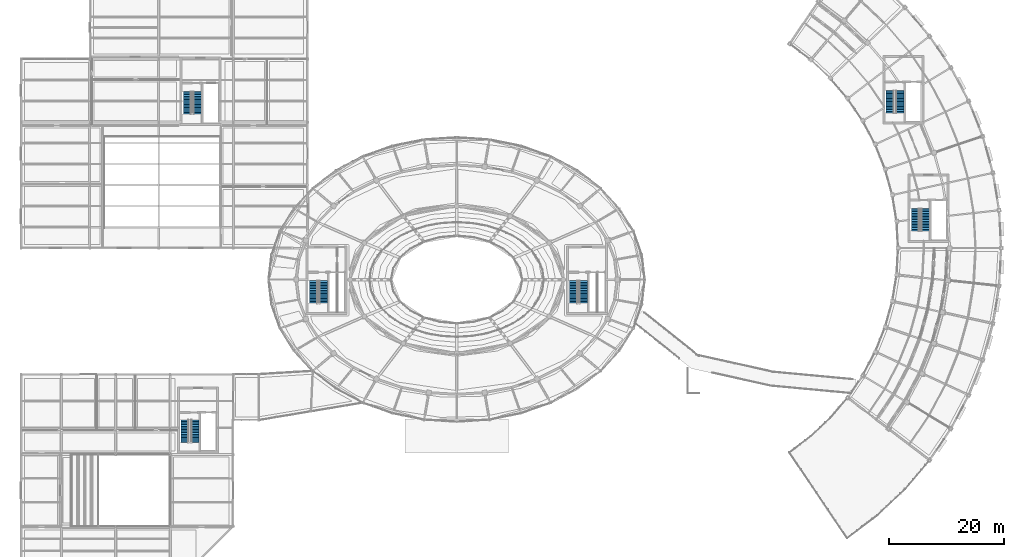
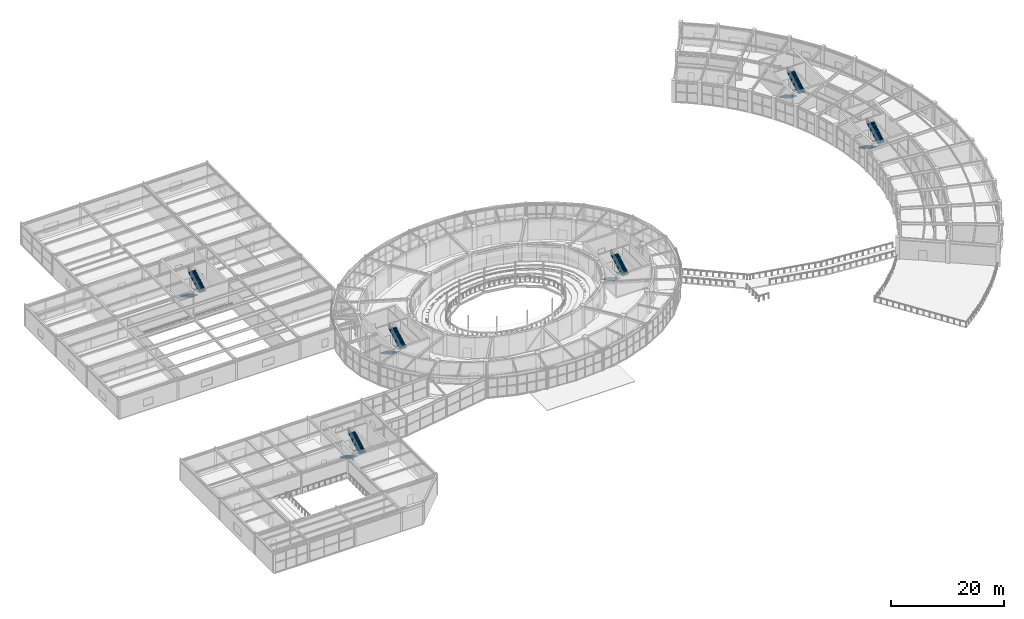
# One storey, part 86 of 100: 12 stair flights, 6 elements without a shape of their own.
"""IFC4 building model written with IfcOpenShell, lengths in metres."""

from ifc_helpers import new_model, si_unit, direction, frame, origin, place, context, subcontext, project, spatial, polyline, outline, extrude, material, type_object, element, aggregate, save


model = new_model("IFC4")

# Units and contexts
model_context = context("Model", 3, precision=1e-05, world=origin(), true_north=direction((0.0, 1.0)))
body_context = subcontext(model_context, "Body", "Model", "MODEL_VIEW")
ifc_project = project(units=[si_unit("LENGTHUNIT", "METRE"), si_unit("AREAUNIT", "SQUARE_METRE"), si_unit("VOLUMEUNIT", "CUBIC_METRE"), si_unit("PLANEANGLEUNIT", "RADIAN"), si_unit("MASSUNIT", "GRAM", prefix="KILO")], contexts=[model_context])

# Site, building, storey
site_placement = place(None, origin())
site = spatial("IfcSite", under=ifc_project, at=site_placement, CompositionType="ELEMENT")
building_placement = place(site_placement, origin())
building = spatial("IfcBuilding", under=site, at=building_placement, Name="Tarnveldt Headland Concert Hall", CompositionType="ELEMENT")
storey_placement = place(building_placement, frame((0.0, 0.0, 4.800048828125)))
storey = spatial("IfcBuildingStorey", under=building, at=storey_placement, Name="L01", CompositionType="ELEMENT", Elevation=4.800048828125)

# Stair, stair flights
ifc_material = material(Name="Concrete C40/50", Category="concrete")
stair_type_1 = type_object("IfcStairType", Name="ST-C5-480", PredefinedType="HALF_TURN_STAIR", material=ifc_material)
stair_1_placement = place(storey_placement, origin())
stair_1 = element("IfcStair", 1, at=stair_1_placement, inside=storey, type_object=stair_type_1, Name="Exit stair STR-C5-L01", PredefinedType="HALF_TURN_STAIR")
stair_flight_type_1 = type_object("IfcStairFlightType", Name="SF-134x160", PredefinedType="STRAIGHT", material=ifc_material)
stair_flight_1_placement = place(storey_placement, frame((36.06005859375, 30.0400390625, 0.0), z_axis=(0.0, 0.0, 1.0), x_axis=(0.0, -1.0, 0.0)))
stair_flight_1 = element("IfcStairFlight", 2, at=stair_flight_1_placement, type_object=stair_flight_type_1, Name="Stair flight STR-C5-L01-F1", NumberOfRisers=15, NumberOfTreads=14, PredefinedType="STRAIGHT", RiserHeight=0.16, TreadLength=0.28, context=body_context, shape_type="SweptSolid", body=[
    extrude(outline(polyline([(0.0, 0.0), (0.0, 0.159912109375), (0.280029296875, 0.159912109375), (0.280029296875, 0.320068359375), (0.56005859375, 0.320068359375), (0.56005859375, 0.47998046875), (0.840087890625, 0.47998046875), (0.840087890625, 0.639892578125), (1.1201171875, 0.639892578125), (1.1201171875, 0.800048828125), (1.39990234375, 0.800048828125), (1.39990234375, 0.9599609375), (1.679931640625, 0.9599609375), (1.679931640625, 1.1201171875), (1.9599609375, 1.1201171875), (1.9599609375, 1.280029296875), (2.239990234375, 1.280029296875), (2.239990234375, 1.43994140625), (2.52001953125, 1.43994140625), (2.52001953125, 1.60009765625), (2.800048828125, 1.60009765625), (2.800048828125, 1.760009765625), (3.080078125, 1.760009765625), (3.080078125, 1.919921875), (3.360107421875, 1.919921875), (3.360107421875, 2.080078125), (3.639892578125, 2.080078125), (3.639892578125, 2.239990234375), (3.919921875, 2.239990234375), (3.919921875, 2.39990234375), (3.919921875, 2.055908203125), (0.322265625, 0.0), (0.0, 0.0)])), frame((0.0, 0.669921875, 0.0), z_axis=(0.0, -1.0, 0.0), x_axis=(1.0, 0.0, 0.0)), (0.0, 0.0, 1.0), 1.340087890625),
])
stair_flight_2_placement = place(storey_placement, frame((37.860107421875, 26.1201171875, 2.39990234375), z_axis=(0.0, 0.0, 1.0), x_axis=(0.0, 1.0, 0.0)))
stair_flight_2 = element("IfcStairFlight", 3, at=stair_flight_2_placement, type_object=stair_flight_type_1, Name="Stair flight STR-C5-L01-F2", NumberOfRisers=15, NumberOfTreads=14, PredefinedType="STRAIGHT", RiserHeight=0.16, TreadLength=0.28, context=body_context, shape_type="SweptSolid", body=[
    extrude(outline(polyline([(0.0, 0.0), (0.0, 0.159912109375), (0.280029296875, 0.159912109375), (0.280029296875, 0.320068359375), (0.56005859375, 0.320068359375), (0.56005859375, 0.47998046875), (0.840087890625, 0.47998046875), (0.840087890625, 0.639892578125), (1.1201171875, 0.639892578125), (1.1201171875, 0.800048828125), (1.39990234375, 0.800048828125), (1.39990234375, 0.9599609375), (1.679931640625, 0.9599609375), (1.679931640625, 1.1201171875), (1.9599609375, 1.1201171875), (1.9599609375, 1.280029296875), (2.239990234375, 1.280029296875), (2.239990234375, 1.43994140625), (2.52001953125, 1.43994140625), (2.52001953125, 1.60009765625), (2.800048828125, 1.60009765625), (2.800048828125, 1.760009765625), (3.080078125, 1.760009765625), (3.080078125, 1.919921875), (3.360107421875, 1.919921875), (3.360107421875, 2.080078125), (3.639892578125, 2.080078125), (3.639892578125, 2.239990234375), (3.919921875, 2.239990234375), (3.919921875, 2.39990234375), (3.919921875, 2.055908203125), (0.322265625, 0.0), (0.0, 0.0)])), frame((0.0, 0.669921875, 0.0), z_axis=(0.0, -1.0, 0.0), x_axis=(1.0, 0.0, 0.0)), (0.0, 0.0, 1.0), 1.340087890625),
])
aggregate(stair_1, [stair_flight_1, stair_flight_2])

stair_type_2 = type_object("IfcStairType", Name="ST-CORE480", PredefinedType="HALF_TURN_STAIR", material=ifc_material)
stair_2_placement = place(storey_placement, origin())
stair_2 = element("IfcStair", 4, at=stair_2_placement, inside=storey, type_object=stair_type_2, Name="Exit stair STR-C1-L01", PredefinedType="HALF_TURN_STAIR")
stair_flight_type_2 = type_object("IfcStairFlightType", Name="SF-140x160", PredefinedType="STRAIGHT", material=ifc_material)
stair_flight_3_placement = place(storey_placement, frame((58.489990234375, 54.320068359375, 0.0), z_axis=(0.0, 0.0, 1.0), x_axis=(0.0, -1.0, 0.0)))
stair_flight_3 = element("IfcStairFlight", 5, at=stair_flight_3_placement, type_object=stair_flight_type_2, Name="Stair flight STR-C1-L01-F1", NumberOfRisers=15, NumberOfTreads=14, PredefinedType="STRAIGHT", RiserHeight=0.16, TreadLength=0.28, context=body_context, shape_type="SweptSolid", body=[
    extrude(outline(polyline([(0.0, 0.0), (0.0, 0.159912109375), (0.280029296875, 0.159912109375), (0.280029296875, 0.320068359375), (0.56005859375, 0.320068359375), (0.56005859375, 0.47998046875), (0.840087890625, 0.47998046875), (0.840087890625, 0.639892578125), (1.1201171875, 0.639892578125), (1.1201171875, 0.800048828125), (1.39990234375, 0.800048828125), (1.39990234375, 0.9599609375), (1.679931640625, 0.9599609375), (1.679931640625, 1.1201171875), (1.9599609375, 1.1201171875), (1.9599609375, 1.280029296875), (2.239990234375, 1.280029296875), (2.239990234375, 1.43994140625), (2.52001953125, 1.43994140625), (2.52001953125, 1.60009765625), (2.800048828125, 1.60009765625), (2.800048828125, 1.760009765625), (3.080078125, 1.760009765625), (3.080078125, 1.919921875), (3.360107421875, 1.919921875), (3.360107421875, 2.080078125), (3.639892578125, 2.080078125), (3.639892578125, 2.239990234375), (3.919921875, 2.239990234375), (3.919921875, 2.39990234375), (3.919921875, 2.055908203125), (0.322265625, 0.0), (0.0, 0.0)])), frame((0.0, 0.699951171875, 0.0), z_axis=(0.0, -1.0, 0.0), x_axis=(1.0, 0.0, 0.0)), (0.0, 0.0, 1.0), 1.39990234375),
])
stair_flight_4_placement = place(storey_placement, frame((60.22998046875, 50.39990234375, 2.39990234375), z_axis=(0.0, 0.0, 1.0), x_axis=(0.0, 1.0, 0.0)))
stair_flight_4 = element("IfcStairFlight", 6, at=stair_flight_4_placement, type_object=stair_flight_type_2, Name="Stair flight STR-C1-L01-F2", NumberOfRisers=15, NumberOfTreads=14, PredefinedType="STRAIGHT", RiserHeight=0.16, TreadLength=0.28, context=body_context, shape_type="SweptSolid", body=[
    extrude(outline(polyline([(0.0, 0.0), (0.0, 0.159912109375), (0.280029296875, 0.159912109375), (0.280029296875, 0.320068359375), (0.56005859375, 0.320068359375), (0.56005859375, 0.47998046875), (0.840087890625, 0.47998046875), (0.840087890625, 0.639892578125), (1.1201171875, 0.639892578125), (1.1201171875, 0.800048828125), (1.39990234375, 0.800048828125), (1.39990234375, 0.9599609375), (1.679931640625, 0.9599609375), (1.679931640625, 1.1201171875), (1.9599609375, 1.1201171875), (1.9599609375, 1.280029296875), (2.239990234375, 1.280029296875), (2.239990234375, 1.43994140625), (2.52001953125, 1.43994140625), (2.52001953125, 1.60009765625), (2.800048828125, 1.60009765625), (2.800048828125, 1.760009765625), (3.080078125, 1.760009765625), (3.080078125, 1.919921875), (3.360107421875, 1.919921875), (3.360107421875, 2.080078125), (3.639892578125, 2.080078125), (3.639892578125, 2.239990234375), (3.919921875, 2.239990234375), (3.919921875, 2.39990234375), (3.919921875, 2.055908203125), (0.322265625, 0.0), (0.0, 0.0)])), frame((0.0, 0.699951171875, 0.0), z_axis=(0.0, -1.0, 0.0), x_axis=(1.0, 0.0, 0.0)), (0.0, 0.0, 1.0), 1.39990234375),
])
aggregate(stair_2, [stair_flight_3, stair_flight_4])

stair_3_placement = place(storey_placement, origin())
stair_3 = element("IfcStair", 7, at=stair_3_placement, inside=storey, type_object=stair_type_2, Name="Exit stair STR-C2-L01", PredefinedType="HALF_TURN_STAIR")
stair_flight_5_placement = place(storey_placement, frame((103.889892578125, 54.320068359375, 0.0), z_axis=(0.0, 0.0, 1.0), x_axis=(0.0, -1.0, 0.0)))
stair_flight_5 = element("IfcStairFlight", 8, at=stair_flight_5_placement, type_object=stair_flight_type_2, Name="Stair flight STR-C2-L01-F1", NumberOfRisers=15, NumberOfTreads=14, PredefinedType="STRAIGHT", RiserHeight=0.16, TreadLength=0.28, context=body_context, shape_type="SweptSolid", body=[
    extrude(outline(polyline([(0.0, 0.0), (0.0, 0.159912109375), (0.280029296875, 0.159912109375), (0.280029296875, 0.320068359375), (0.56005859375, 0.320068359375), (0.56005859375, 0.47998046875), (0.840087890625, 0.47998046875), (0.840087890625, 0.639892578125), (1.1201171875, 0.639892578125), (1.1201171875, 0.800048828125), (1.39990234375, 0.800048828125), (1.39990234375, 0.9599609375), (1.679931640625, 0.9599609375), (1.679931640625, 1.1201171875), (1.9599609375, 1.1201171875), (1.9599609375, 1.280029296875), (2.239990234375, 1.280029296875), (2.239990234375, 1.43994140625), (2.52001953125, 1.43994140625), (2.52001953125, 1.60009765625), (2.800048828125, 1.60009765625), (2.800048828125, 1.760009765625), (3.080078125, 1.760009765625), (3.080078125, 1.919921875), (3.360107421875, 1.919921875), (3.360107421875, 2.080078125), (3.639892578125, 2.080078125), (3.639892578125, 2.239990234375), (3.919921875, 2.239990234375), (3.919921875, 2.39990234375), (3.919921875, 2.055908203125), (0.322265625, 0.0), (0.0, 0.0)])), frame((0.0, 0.699951171875, 0.0), z_axis=(0.0, -1.0, 0.0), x_axis=(1.0, 0.0, 0.0)), (0.0, 0.0, 1.0), 1.39990234375),
])
stair_flight_6_placement = place(storey_placement, frame((105.6298828125, 50.39990234375, 2.39990234375), z_axis=(0.0, 0.0, 1.0), x_axis=(0.0, 1.0, 0.0)))
stair_flight_6 = element("IfcStairFlight", 9, at=stair_flight_6_placement, type_object=stair_flight_type_2, Name="Stair flight STR-C2-L01-F2", NumberOfRisers=15, NumberOfTreads=14, PredefinedType="STRAIGHT", RiserHeight=0.16, TreadLength=0.28, context=body_context, shape_type="SweptSolid", body=[
    extrude(outline(polyline([(0.0, 0.0), (0.0, 0.159912109375), (0.280029296875, 0.159912109375), (0.280029296875, 0.320068359375), (0.56005859375, 0.320068359375), (0.56005859375, 0.47998046875), (0.840087890625, 0.47998046875), (0.840087890625, 0.639892578125), (1.1201171875, 0.639892578125), (1.1201171875, 0.800048828125), (1.39990234375, 0.800048828125), (1.39990234375, 0.9599609375), (1.679931640625, 0.9599609375), (1.679931640625, 1.1201171875), (1.9599609375, 1.1201171875), (1.9599609375, 1.280029296875), (2.239990234375, 1.280029296875), (2.239990234375, 1.43994140625), (2.52001953125, 1.43994140625), (2.52001953125, 1.60009765625), (2.800048828125, 1.60009765625), (2.800048828125, 1.760009765625), (3.080078125, 1.760009765625), (3.080078125, 1.919921875), (3.360107421875, 1.919921875), (3.360107421875, 2.080078125), (3.639892578125, 2.080078125), (3.639892578125, 2.239990234375), (3.919921875, 2.239990234375), (3.919921875, 2.39990234375), (3.919921875, 2.055908203125), (0.322265625, 0.0), (0.0, 0.0)])), frame((0.0, 0.699951171875, 0.0), z_axis=(0.0, -1.0, 0.0), x_axis=(1.0, 0.0, 0.0)), (0.0, 0.0, 1.0), 1.39990234375),
])
aggregate(stair_3, [stair_flight_5, stair_flight_6])

stair_4_placement = place(storey_placement, origin())
stair_4 = element("IfcStair", 10, at=stair_4_placement, inside=storey, type_object=stair_type_2, Name="Exit stair STR-C3-L01", PredefinedType="HALF_TURN_STAIR")
stair_flight_7_placement = place(storey_placement, frame((159.090087890625, 87.52001953125, 0.0), z_axis=(0.0, 0.0, 1.0), x_axis=(0.0, -1.0, 0.0)))
stair_flight_7 = element("IfcStairFlight", 11, at=stair_flight_7_placement, type_object=stair_flight_type_2, Name="Stair flight STR-C3-L01-F1", NumberOfRisers=15, NumberOfTreads=14, PredefinedType="STRAIGHT", RiserHeight=0.16, TreadLength=0.28, context=body_context, shape_type="SweptSolid", body=[
    extrude(outline(polyline([(0.0, 0.0), (0.0, 0.159912109375), (0.280029296875, 0.159912109375), (0.280029296875, 0.320068359375), (0.56005859375, 0.320068359375), (0.56005859375, 0.47998046875), (0.840087890625, 0.47998046875), (0.840087890625, 0.639892578125), (1.1201171875, 0.639892578125), (1.1201171875, 0.800048828125), (1.39990234375, 0.800048828125), (1.39990234375, 0.9599609375), (1.679931640625, 0.9599609375), (1.679931640625, 1.1201171875), (1.9599609375, 1.1201171875), (1.9599609375, 1.280029296875), (2.239990234375, 1.280029296875), (2.239990234375, 1.43994140625), (2.52001953125, 1.43994140625), (2.52001953125, 1.60009765625), (2.800048828125, 1.60009765625), (2.800048828125, 1.760009765625), (3.080078125, 1.760009765625), (3.080078125, 1.919921875), (3.360107421875, 1.919921875), (3.360107421875, 2.080078125), (3.639892578125, 2.080078125), (3.639892578125, 2.239990234375), (3.919921875, 2.239990234375), (3.919921875, 2.39990234375), (3.919921875, 2.055908203125), (0.322265625, 0.0), (0.0, 0.0)])), frame((0.0, 0.699951171875, 0.0), z_axis=(0.0, -1.0, 0.0), x_axis=(1.0, 0.0, 0.0)), (0.0, 0.0, 1.0), 1.39990234375),
])
stair_flight_8_placement = place(storey_placement, frame((160.830078125, 83.60009765625, 2.39990234375), z_axis=(0.0, 0.0, 1.0), x_axis=(0.0, 1.0, 0.0)))
stair_flight_8 = element("IfcStairFlight", 12, at=stair_flight_8_placement, type_object=stair_flight_type_2, Name="Stair flight STR-C3-L01-F2", NumberOfRisers=15, NumberOfTreads=14, PredefinedType="STRAIGHT", RiserHeight=0.16, TreadLength=0.28, context=body_context, shape_type="SweptSolid", body=[
    extrude(outline(polyline([(0.0, 0.0), (0.0, 0.159912109375), (0.280029296875, 0.159912109375), (0.280029296875, 0.320068359375), (0.56005859375, 0.320068359375), (0.56005859375, 0.47998046875), (0.840087890625, 0.47998046875), (0.840087890625, 0.639892578125), (1.1201171875, 0.639892578125), (1.1201171875, 0.800048828125), (1.39990234375, 0.800048828125), (1.39990234375, 0.9599609375), (1.679931640625, 0.9599609375), (1.679931640625, 1.1201171875), (1.9599609375, 1.1201171875), (1.9599609375, 1.280029296875), (2.239990234375, 1.280029296875), (2.239990234375, 1.43994140625), (2.52001953125, 1.43994140625), (2.52001953125, 1.60009765625), (2.800048828125, 1.60009765625), (2.800048828125, 1.760009765625), (3.080078125, 1.760009765625), (3.080078125, 1.919921875), (3.360107421875, 1.919921875), (3.360107421875, 2.080078125), (3.639892578125, 2.080078125), (3.639892578125, 2.239990234375), (3.919921875, 2.239990234375), (3.919921875, 2.39990234375), (3.919921875, 2.055908203125), (0.322265625, 0.0), (0.0, 0.0)])), frame((0.0, 0.699951171875, 0.0), z_axis=(0.0, -1.0, 0.0), x_axis=(1.0, 0.0, 0.0)), (0.0, 0.0, 1.0), 1.39990234375),
])
aggregate(stair_4, [stair_flight_7, stair_flight_8])

stair_5_placement = place(storey_placement, origin())
stair_5 = element("IfcStair", 13, at=stair_5_placement, inside=storey, type_object=stair_type_2, Name="Exit stair STR-C4-L01", PredefinedType="HALF_TURN_STAIR")
stair_flight_9_placement = place(storey_placement, frame((163.489990234375, 66.919921875, 0.0), z_axis=(0.0, 0.0, 1.0), x_axis=(0.0, -1.0, 0.0)))
stair_flight_9 = element("IfcStairFlight", 14, at=stair_flight_9_placement, type_object=stair_flight_type_2, Name="Stair flight STR-C4-L01-F1", NumberOfRisers=15, NumberOfTreads=14, PredefinedType="STRAIGHT", RiserHeight=0.16, TreadLength=0.28, context=body_context, shape_type="SweptSolid", body=[
    extrude(outline(polyline([(0.0, 0.0), (0.0, 0.159912109375), (0.280029296875, 0.159912109375), (0.280029296875, 0.320068359375), (0.56005859375, 0.320068359375), (0.56005859375, 0.47998046875), (0.840087890625, 0.47998046875), (0.840087890625, 0.639892578125), (1.1201171875, 0.639892578125), (1.1201171875, 0.800048828125), (1.39990234375, 0.800048828125), (1.39990234375, 0.9599609375), (1.679931640625, 0.9599609375), (1.679931640625, 1.1201171875), (1.9599609375, 1.1201171875), (1.9599609375, 1.280029296875), (2.239990234375, 1.280029296875), (2.239990234375, 1.43994140625), (2.52001953125, 1.43994140625), (2.52001953125, 1.60009765625), (2.800048828125, 1.60009765625), (2.800048828125, 1.760009765625), (3.080078125, 1.760009765625), (3.080078125, 1.919921875), (3.360107421875, 1.919921875), (3.360107421875, 2.080078125), (3.639892578125, 2.080078125), (3.639892578125, 2.239990234375), (3.919921875, 2.239990234375), (3.919921875, 2.39990234375), (3.919921875, 2.055908203125), (0.322265625, 0.0), (0.0, 0.0)])), frame((0.0, 0.699951171875, 0.0), z_axis=(0.0, -1.0, 0.0), x_axis=(1.0, 0.0, 0.0)), (0.0, 0.0, 1.0), 1.39990234375),
])
stair_flight_10_placement = place(storey_placement, frame((165.22998046875, 63.0, 2.39990234375), z_axis=(0.0, 0.0, 1.0), x_axis=(0.0, 1.0, 0.0)))
stair_flight_10 = element("IfcStairFlight", 15, at=stair_flight_10_placement, type_object=stair_flight_type_2, Name="Stair flight STR-C4-L01-F2", NumberOfRisers=15, NumberOfTreads=14, PredefinedType="STRAIGHT", RiserHeight=0.16, TreadLength=0.28, context=body_context, shape_type="SweptSolid", body=[
    extrude(outline(polyline([(0.0, 0.0), (0.0, 0.159912109375), (0.280029296875, 0.159912109375), (0.280029296875, 0.320068359375), (0.56005859375, 0.320068359375), (0.56005859375, 0.47998046875), (0.840087890625, 0.47998046875), (0.840087890625, 0.639892578125), (1.1201171875, 0.639892578125), (1.1201171875, 0.800048828125), (1.39990234375, 0.800048828125), (1.39990234375, 0.9599609375), (1.679931640625, 0.9599609375), (1.679931640625, 1.1201171875), (1.9599609375, 1.1201171875), (1.9599609375, 1.280029296875), (2.239990234375, 1.280029296875), (2.239990234375, 1.43994140625), (2.52001953125, 1.43994140625), (2.52001953125, 1.60009765625), (2.800048828125, 1.60009765625), (2.800048828125, 1.760009765625), (3.080078125, 1.760009765625), (3.080078125, 1.919921875), (3.360107421875, 1.919921875), (3.360107421875, 2.080078125), (3.639892578125, 2.080078125), (3.639892578125, 2.239990234375), (3.919921875, 2.239990234375), (3.919921875, 2.39990234375), (3.919921875, 2.055908203125), (0.322265625, 0.0), (0.0, 0.0)])), frame((0.0, 0.699951171875, 0.0), z_axis=(0.0, -1.0, 0.0), x_axis=(1.0, 0.0, 0.0)), (0.0, 0.0, 1.0), 1.39990234375),
])
aggregate(stair_5, [stair_flight_9, stair_flight_10])

stair_6_placement = place(storey_placement, origin())
stair_6 = element("IfcStair", 16, at=stair_6_placement, inside=storey, type_object=stair_type_2, Name="Exit stair STR-C6-L01", PredefinedType="HALF_TURN_STAIR")
stair_flight_11_placement = place(storey_placement, frame((36.489990234375, 87.320068359375, 0.0), z_axis=(0.0, 0.0, 1.0), x_axis=(0.0, -1.0, 0.0)))
stair_flight_11 = element("IfcStairFlight", 17, at=stair_flight_11_placement, type_object=stair_flight_type_2, Name="Stair flight STR-C6-L01-F1", NumberOfRisers=15, NumberOfTreads=14, PredefinedType="STRAIGHT", RiserHeight=0.16, TreadLength=0.28, context=body_context, shape_type="SweptSolid", body=[
    extrude(outline(polyline([(0.0, 0.0), (0.0, 0.159912109375), (0.280029296875, 0.159912109375), (0.280029296875, 0.320068359375), (0.56005859375, 0.320068359375), (0.56005859375, 0.47998046875), (0.840087890625, 0.47998046875), (0.840087890625, 0.639892578125), (1.1201171875, 0.639892578125), (1.1201171875, 0.800048828125), (1.39990234375, 0.800048828125), (1.39990234375, 0.9599609375), (1.679931640625, 0.9599609375), (1.679931640625, 1.1201171875), (1.9599609375, 1.1201171875), (1.9599609375, 1.280029296875), (2.239990234375, 1.280029296875), (2.239990234375, 1.43994140625), (2.52001953125, 1.43994140625), (2.52001953125, 1.60009765625), (2.800048828125, 1.60009765625), (2.800048828125, 1.760009765625), (3.080078125, 1.760009765625), (3.080078125, 1.919921875), (3.360107421875, 1.919921875), (3.360107421875, 2.080078125), (3.639892578125, 2.080078125), (3.639892578125, 2.239990234375), (3.919921875, 2.239990234375), (3.919921875, 2.39990234375), (3.919921875, 2.055908203125), (0.322265625, 0.0), (0.0, 0.0)])), frame((0.0, 0.699951171875, 0.0), z_axis=(0.0, -1.0, 0.0), x_axis=(1.0, 0.0, 0.0)), (0.0, 0.0, 1.0), 1.39990234375),
])
stair_flight_12_placement = place(storey_placement, frame((38.22998046875, 83.39990234375, 2.39990234375), z_axis=(0.0, 0.0, 1.0), x_axis=(0.0, 1.0, 0.0)))
stair_flight_12 = element("IfcStairFlight", 18, at=stair_flight_12_placement, type_object=stair_flight_type_2, Name="Stair flight STR-C6-L01-F2", NumberOfRisers=15, NumberOfTreads=14, PredefinedType="STRAIGHT", RiserHeight=0.16, TreadLength=0.28, context=body_context, shape_type="SweptSolid", body=[
    extrude(outline(polyline([(0.0, 0.0), (0.0, 0.159912109375), (0.280029296875, 0.159912109375), (0.280029296875, 0.320068359375), (0.56005859375, 0.320068359375), (0.56005859375, 0.47998046875), (0.840087890625, 0.47998046875), (0.840087890625, 0.639892578125), (1.1201171875, 0.639892578125), (1.1201171875, 0.800048828125), (1.39990234375, 0.800048828125), (1.39990234375, 0.9599609375), (1.679931640625, 0.9599609375), (1.679931640625, 1.1201171875), (1.9599609375, 1.1201171875), (1.9599609375, 1.280029296875), (2.239990234375, 1.280029296875), (2.239990234375, 1.43994140625), (2.52001953125, 1.43994140625), (2.52001953125, 1.60009765625), (2.800048828125, 1.60009765625), (2.800048828125, 1.760009765625), (3.080078125, 1.760009765625), (3.080078125, 1.919921875), (3.360107421875, 1.919921875), (3.360107421875, 2.080078125), (3.639892578125, 2.080078125), (3.639892578125, 2.239990234375), (3.919921875, 2.239990234375), (3.919921875, 2.39990234375), (3.919921875, 2.055908203125), (0.322265625, 0.0), (0.0, 0.0)])), frame((0.0, 0.699951171875, 0.0), z_axis=(0.0, -1.0, 0.0), x_axis=(1.0, 0.0, 0.0)), (0.0, 0.0, 1.0), 1.39990234375),
])
aggregate(stair_6, [stair_flight_11, stair_flight_12])

save(model, "model.ifc")
